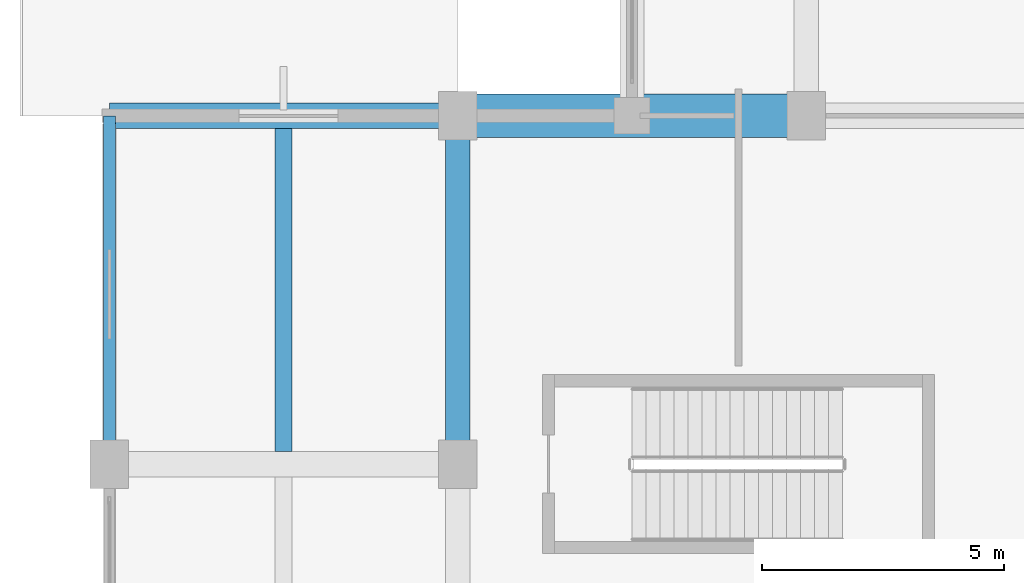
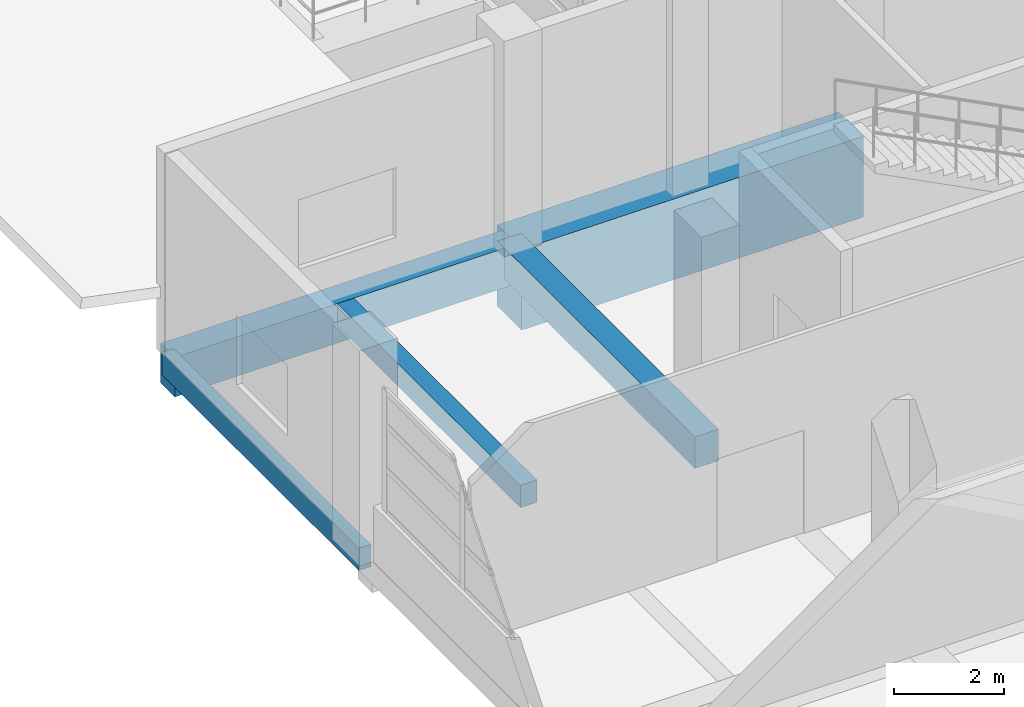
# One storey, part 7 of 140: 5 beams.
"""IFC4 building model written with IfcOpenShell, lengths in metres."""

from ifc_helpers import new_model, si_unit, direction, frame, origin, origin_2d, place, context, subcontext, project, spatial, rectangle, extrude, material, material_profile, profile_set, type_object, element, save


model = new_model("IFC4")

# Units and contexts
model_context = context("Model", 3, precision=1e-05, world=origin(), true_north=direction((0.0, 1.0)))
body_context = subcontext(model_context, "Body", "Model", "MODEL_VIEW")
ifc_project = project(units=[si_unit("LENGTHUNIT", "METRE"), si_unit("AREAUNIT", "SQUARE_METRE"), si_unit("VOLUMEUNIT", "CUBIC_METRE"), si_unit("PLANEANGLEUNIT", "RADIAN"), si_unit("MASSUNIT", "GRAM", prefix="KILO")], contexts=[model_context])

# Site, building, storey
site_placement = place(None, origin())
site = spatial("IfcSite", under=ifc_project, at=site_placement, CompositionType="ELEMENT")
building_placement = place(site_placement, origin())
building = spatial("IfcBuilding", under=site, at=building_placement, Name="Seraya Terrace Polytechnic", CompositionType="ELEMENT")
storey_placement = place(building_placement, frame((0.0, 0.0, 9.60009765625)))
storey = spatial("IfcBuildingStorey", under=building, at=storey_placement, Name="L02", CompositionType="ELEMENT", Elevation=9.60009765625)

# Beams
ifc_material = material(Name="Concrete C40/50", Category="concrete")
ifc_material_profile_1 = material_profile(ifc_material, rectangle(XDim=0.52001953125, YDim=0.8798828125, at=origin_2d()), Name="RC 520x880")
ifc_profile_set_1 = profile_set([ifc_material_profile_1], Name="Concrete C40/50")
beam_type_1 = type_object("IfcBeamType", Name="BM-04", PredefinedType="BEAM", material=ifc_profile_set_1)
beam_1_placement = place(storey_placement, frame((0.0, 28.800048828125, -0.440185546875), z_axis=(1.0, 0.0, 0.0), x_axis=(0.0, 1.0, 0.0)))
element("IfcBeam", 1, at=beam_1_placement, inside=storey, type_object=beam_type_1, Name="Beam BM-04 L02 X (0.0..7.2, 28.8)", PredefinedType="BEAM", context=body_context, shape_type="SweptSolid", body=[
    extrude(rectangle(XDim=0.52001953125, YDim=0.8798828125, at=origin_2d()), origin(), (0.0, 0.0, 1.0), 7.199951171875),
])
ifc_material_profile_2 = material_profile(ifc_material, rectangle(XDim=0.5, YDim=0.699951171875, at=origin_2d()), Name="RC 500x700")
ifc_profile_set_2 = profile_set([ifc_material_profile_2], Name="Concrete C40/50")
beam_type_2 = type_object("IfcBeamType", Name="BM-07", PredefinedType="BEAM", material=ifc_profile_set_2)
beam_2_placement = place(storey_placement, frame((7.199951171875, 21.60009765625, -0.35009765625), z_axis=(0.0, 1.0, 0.0), x_axis=(-1.0, 0.0, 0.0)))
element("IfcBeam", 2, at=beam_2_placement, inside=storey, type_object=beam_type_2, Name="Beam BM-07 L02 Y (7.2, 21.6..28.8)", PredefinedType="BEAM", context=body_context, shape_type="SweptSolid", body=[
    extrude(rectangle(XDim=0.5, YDim=0.699951171875, at=origin_2d()), origin(), (0.0, 0.0, 1.0), 7.199951171875),
])
ifc_material_profile_3 = material_profile(ifc_material, rectangle(XDim=0.35009765625, YDim=0.5, at=origin_2d()), Name="RC 350x500")
ifc_profile_set_3 = profile_set([ifc_material_profile_3], Name="Concrete C40/50")
beam_type_3 = type_object("IfcBeamType", Name="JS-03", PredefinedType="JOIST", material=ifc_profile_set_3)
beam_3_placement = place(storey_placement, frame((3.60009765625, 21.860107421875, -0.25), z_axis=(0.0, 1.0, 0.0), x_axis=(-1.0, 0.0, 0.0)))
element("IfcBeam", 3, at=beam_3_placement, inside=storey, type_object=beam_type_3, Name="Secondary joist JS-03 L02", PredefinedType="JOIST", context=body_context, shape_type="SweptSolid", body=[
    extrude(rectangle(XDim=0.35009765625, YDim=0.5, at=origin_2d()), origin(), (0.0, 0.0, 1.0), 6.679931640625),
])
ifc_material_profile_4 = material_profile(ifc_material, rectangle(XDim=0.25, YDim=0.5, at=origin_2d()), Name="RC 250x500")
ifc_profile_set_4 = profile_set([ifc_material_profile_4], Name="Concrete C40/50")
beam_type_4 = type_object("IfcBeamType", Name="SP-03", PredefinedType="SPANDREL", material=ifc_profile_set_4)
beam_4_placement = place(storey_placement, frame((0.0, 21.60009765625, -0.25), z_axis=(0.0, 1.0, 0.0), x_axis=(-1.0, 0.0, 0.0)))
element("IfcBeam", 4, at=beam_4_placement, inside=storey, type_object=beam_type_4, Name="Beam SP-03 L02 Y (0.0, 21.6..28.8)", PredefinedType="SPANDREL", context=body_context, shape_type="SweptSolid", body=[
    extrude(rectangle(XDim=0.25, YDim=0.5, at=origin_2d()), origin(), (0.0, 0.0, 1.0), 7.199951171875),
])
ifc_material_profile_5 = material_profile(ifc_material, rectangle(XDim=0.89990234375, YDim=1.800048828125, at=origin_2d()), Name="RC 900x1800")
ifc_profile_set_5 = profile_set([ifc_material_profile_5], Name="Concrete C40/50")
beam_type_5 = type_object("IfcBeamType", Name="TG-01", PredefinedType="USERDEFINED", material=ifc_profile_set_5)
beam_5_placement = place(storey_placement, frame((7.199951171875, 28.800048828125, -0.900146484375), z_axis=(1.0, 0.0, 0.0), x_axis=(0.0, 1.0, 0.0)))
element("IfcBeam", 5, at=beam_5_placement, inside=storey, type_object=beam_type_5, Name="Transfer girder TG-01 L02 #1", ObjectType="GIRDER", PredefinedType="USERDEFINED", context=body_context, shape_type="SweptSolid", body=[
    extrude(rectangle(XDim=0.89990234375, YDim=1.800048828125, at=origin_2d()), origin(), (0.0, 0.0, 1.0), 7.199951171875),
])

save(model, "model.ifc")
